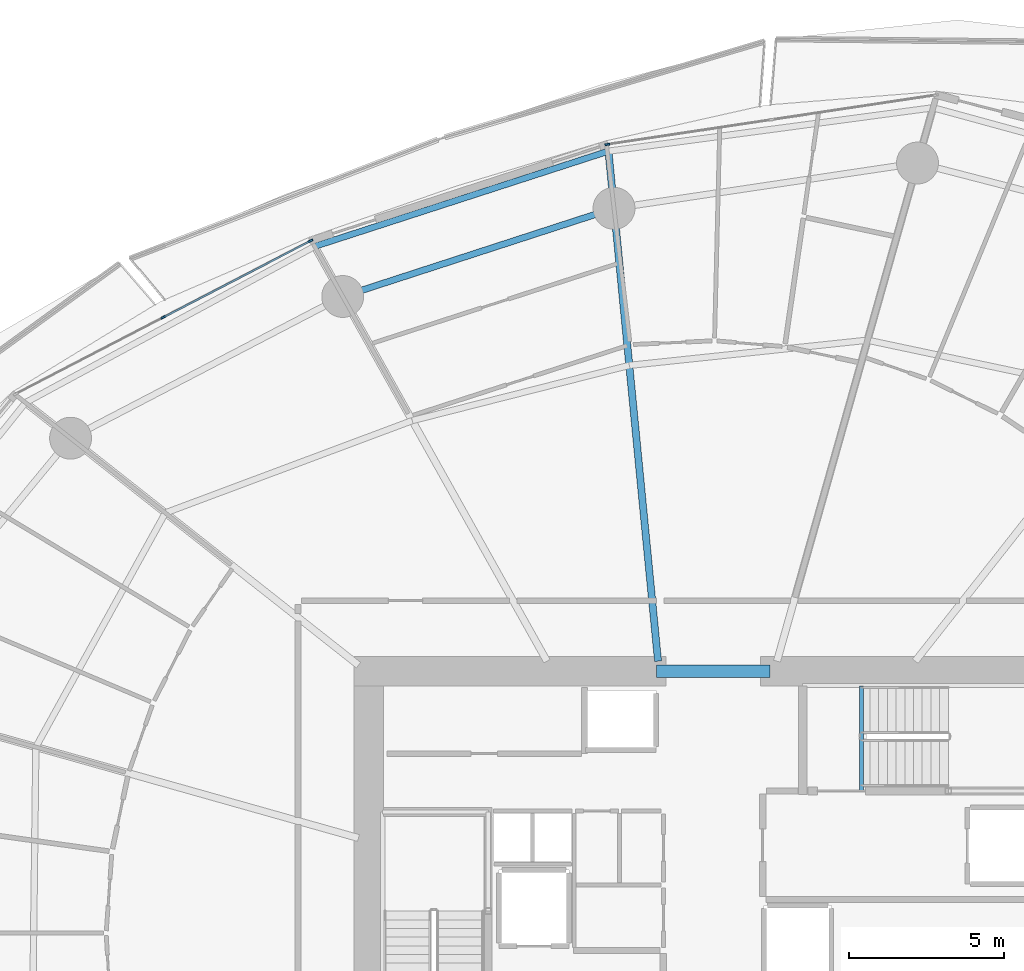
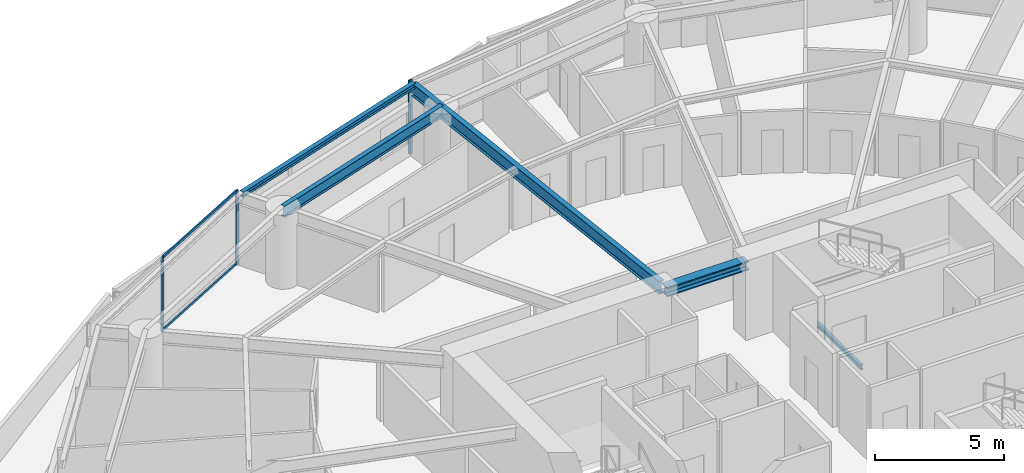
# One storey, part 13 of 31: 5 beams, 5 members, 2 elements without a shape of their own.
"""IFC4 building model written with IfcOpenShell, lengths in metres."""

from ifc_helpers import new_model, si_unit, direction, frame, origin, origin_2d, place, context, subcontext, project, spatial, rectangle, i_section, extrude, material, layer, layer_set, material_profile, profile_set, type_object, element, aggregate, save


model = new_model("IFC4")

# Units and contexts
model_context = context("Model", 3, precision=1e-05, world=origin(), true_north=direction((0.0, 1.0)))
body_context = subcontext(model_context, "Body", "Model", "MODEL_VIEW")
ifc_project = project(units=[si_unit("LENGTHUNIT", "METRE"), si_unit("AREAUNIT", "SQUARE_METRE"), si_unit("VOLUMEUNIT", "CUBIC_METRE"), si_unit("PLANEANGLEUNIT", "RADIAN"), si_unit("MASSUNIT", "GRAM", prefix="KILO")], contexts=[model_context])

# Site, building, storey
site_placement = place(None, origin())
site = spatial("IfcSite", under=ifc_project, at=site_placement, CompositionType="ELEMENT")
building_placement = place(site_placement, origin())
building = spatial("IfcBuilding", under=site, at=building_placement, Name="Kazma Halo Residences", CompositionType="ELEMENT")
storey_placement = place(building_placement, frame((0.0, 0.0, 41.39990234375)))
storey = spatial("IfcBuildingStorey", under=building, at=storey_placement, Name="L09", CompositionType="ELEMENT", Elevation=41.39990234375)

# Beams
ifc_material_1 = material(Name="Steel S355", Category="steel")
ifc_material_profile_1 = material_profile(ifc_material_1, i_section(OverallWidth=0.201904296875, OverallDepth=0.2470703125, WebThickness=0.00732421875, FlangeThickness=0.010986328125, FilletRadius=0.011962890625, at=origin_2d()), Name="W250x49.1")
ifc_profile_set_1 = profile_set([ifc_material_profile_1], Name="Steel S355")
beam_type_1 = type_object("IfcBeamType", Name="BM-BAL-CANT", PredefinedType="BEAM", material=ifc_profile_set_1)
beam_1_placement = place(storey_placement, frame((45.052734375, 67.230712890625, 3.376708984375), z_axis=(-0.951307246639, -0.308244257842, 0.0), x_axis=(0.308244257842, -0.951307246639, 0.0)))
element("IfcBeam", 1, at=beam_1_placement, inside=storey, type_object=beam_type_1, Name="L09 wave-balcony tie beam 04", PredefinedType="BEAM", context=body_context, shape_type="SweptSolid", body=[
    extrude(i_section(OverallWidth=0.201904296875, OverallDepth=0.2470703125, WebThickness=0.00732421875, FlangeThickness=0.010986328125, FilletRadius=0.011962890625, at=origin_2d()), origin(), (0.0, 0.0, 1.0), 9.949462890625),
])
ifc_material_profile_2 = material_profile(ifc_material_1, i_section(OverallWidth=0.408935546875, OverallDepth=0.425048828125, WebThickness=0.03271484375, FlangeThickness=0.052490234375, FilletRadius=0.02001953125, at=origin_2d()), Name="W360x421")
ifc_profile_set_2 = profile_set([ifc_material_profile_2], Name="Steel S355")
beam_type_2 = type_object("IfcBeamType", Name="BM-CORE-W360H", PredefinedType="BEAM", material=ifc_profile_set_2)
beam_2_placement = place(storey_placement, frame((46.60009765625, 50.47509765625, 3.28759765625), z_axis=(1.0, 0.0, 0.0), x_axis=(0.0, 1.0, 0.0)))
element("IfcBeam", 2, at=beam_2_placement, inside=storey, type_object=beam_type_2, Name="L09 core coupling beam N", PredefinedType="BEAM", context=body_context, shape_type="SweptSolid", body=[
    extrude(i_section(OverallWidth=0.408935546875, OverallDepth=0.425048828125, WebThickness=0.03271484375, FlangeThickness=0.052490234375, FilletRadius=0.02001953125, at=origin_2d()), origin(), (0.0, 0.0, 1.0), 3.64990234375),
])
ifc_material_profile_3 = material_profile(ifc_material_1, i_section(OverallWidth=0.22802734375, OverallDepth=0.60791015625, WebThickness=0.01123046875, FlangeThickness=0.017333984375, FilletRadius=0.01806640625, at=origin_2d()), Name="W610x113")
ifc_profile_set_3 = profile_set([ifc_material_profile_3], Name="Steel S355")
beam_type_3 = type_object("IfcBeamType", Name="BM-RAD-W610", PredefinedType="BEAM", material=ifc_profile_set_3)
beam_3_placement = place(storey_placement, frame((46.64990234375, 50.800048828125, 3.196044921875), z_axis=(-0.096750509471, 0.995308665147, 0.0), x_axis=(-0.995308665147, -0.096750509471, 0.0)))
element("IfcBeam", 3, at=beam_3_placement, inside=storey, type_object=beam_type_3, Name="L09 radial floor beam 04", PredefinedType="BEAM", context=body_context, shape_type="SweptSolid", body=[
    extrude(i_section(OverallWidth=0.22802734375, OverallDepth=0.60791015625, WebThickness=0.01123046875, FlangeThickness=0.017333984375, FilletRadius=0.01806640625, at=origin_2d()), origin(), (0.0, 0.0, 1.0), 16.508056640625),
])
ifc_material_profile_4 = material_profile(ifc_material_1, i_section(OverallWidth=0.208984375, OverallDepth=0.532958984375, WebThickness=0.01025390625, FlangeThickness=0.015625, FilletRadius=0.01611328125, at=origin_2d()), Name="W530x92")
ifc_profile_set_4 = profile_set([ifc_material_profile_4], Name="Steel S355")
beam_type_4 = type_object("IfcBeamType", Name="BM-SPN-W530", PredefinedType="BEAM", material=ifc_profile_set_4)
beam_4_placement = place(storey_placement, frame((45.231689453125, 65.389404296875, 3.233642578125), z_axis=(-0.951054956346, -0.309021795363, 0.0), x_axis=(0.309021795363, -0.951054956346, 0.0)))
element("IfcBeam", 4, at=beam_4_placement, inside=storey, type_object=beam_type_4, Name="L09 perimeter ring beam 04", PredefinedType="BEAM", context=body_context, shape_type="SweptSolid", body=[
    extrude(i_section(OverallWidth=0.208984375, OverallDepth=0.532958984375, WebThickness=0.01025390625, FlangeThickness=0.015625, FilletRadius=0.01611328125, at=origin_2d()), origin(), (0.0, 0.0, 1.0), 9.189697265625),
])
ifc_material_profile_5 = material_profile(ifc_material_1, i_section(OverallWidth=0.133056640625, OverallDepth=0.20703125, WebThickness=0.005859375, FlangeThickness=0.00830078125, FilletRadius=0.010009765625, at=origin_2d()), Name="W200x26.6")
ifc_profile_set_5 = profile_set([ifc_material_profile_5], Name="Steel S355")
beam_type_5 = type_object("IfcBeamType", Name="BM-TRIM-W200", PredefinedType="BEAM", material=ifc_profile_set_5)
beam_5_placement = place(storey_placement, frame((53.199951171875, 46.6201171875, -0.35986328125), z_axis=(0.0, 1.0, 0.0), x_axis=(-1.0, 0.0, 0.0)))
element("IfcBeam", 5, at=beam_5_placement, inside=storey, type_object=beam_type_5, Name="L09 ST-02 floor landing support beam", PredefinedType="BEAM", context=body_context, shape_type="SweptSolid", body=[
    extrude(i_section(OverallWidth=0.133056640625, OverallDepth=0.20703125, WebThickness=0.005859375, FlangeThickness=0.00830078125, FilletRadius=0.010009765625, at=origin_2d()), origin(), (0.0, 0.0, 1.0), 3.3798828125),
])

# Curtain wall, member
ifc_material_2 = material(Name="Aluminium AW-6063 T6 and Triple-Silver Low-E Glass", Category="aluminium")
ifc_layer = layer(ifc_material_2, 0.159912109375)
ifc_layer_set = layer_set([ifc_layer], Name="Aluminium AW-6063 T6 and Triple-Silver Low-E Glass")
curtain_wall_type = type_object("IfcCurtainWallType", Name="CW-SYS-2", PredefinedType="NOTDEFINED", material=ifc_layer_set)
curtain_wall_1_placement = place(storey_placement, origin())
curtain_wall_1 = element("IfcCurtainWall", 6, at=curtain_wall_1_placement, inside=storey, type_object=curtain_wall_type, Name="L09 unitised curtain wall B03", PredefinedType="NOTDEFINED")
ifc_material_3 = material(Name="Aluminium AW-6063 T6", Category="aluminium")
ifc_material_profile_6 = material_profile(ifc_material_3, rectangle(XDim=0.06005859375, YDim=0.159912109375, at=origin_2d()), Name="CWM-60x160")
ifc_profile_set_6 = profile_set([ifc_material_profile_6], Name="Aluminium AW-6063 T6")
member_type_1 = type_object("IfcMemberType", Name="CW-SYS-2-MUL", PredefinedType="MULLION", material=ifc_profile_set_6)
member_1_placement = place(storey_placement, frame((45.018310546875, 67.447509765625, 0.0), z_axis=(0.0, 0.0, 1.0), x_axis=(0.148657272805, -0.988888777994, 0.0)))
member_1 = element("IfcMember", 7, at=member_1_placement, type_object=member_type_1, Name="CWS-2 mullion 3", PredefinedType="MULLION", context=body_context, shape_type="SweptSolid", body=[
    extrude(rectangle(XDim=0.06005859375, YDim=0.159912109375, at=origin_2d()), origin(), (0.0, 0.0, 1.0), 3.5),
])
aggregate(curtain_wall_1, [member_1])

# Curtain wall, members
curtain_wall_2_placement = place(storey_placement, origin())
curtain_wall_2 = element("IfcCurtainWall", 8, at=curtain_wall_2_placement, inside=storey, type_object=curtain_wall_type, Name="L09 unitised curtain wall B05", PredefinedType="NOTDEFINED")
member_2_placement = place(storey_placement, frame((35.45458984375, 64.340087890625, 0.0), z_axis=(0.0, 0.0, 1.0), x_axis=(0.460995912628, -0.887402258584, 0.0)))
member_2 = element("IfcMember", 9, at=member_2_placement, type_object=member_type_1, Name="CWS-2 mullion 1", PredefinedType="MULLION", context=body_context, shape_type="SweptSolid", body=[
    extrude(rectangle(XDim=0.06005859375, YDim=0.159912109375, at=origin_2d()), origin(), (0.0, 0.0, 1.0), 3.5),
])
member_3_placement = place(storey_placement, frame((30.7080078125, 61.874267578125, 0.0), z_axis=(0.0, 0.0, 1.0), x_axis=(0.460995912628, -0.887402258584, 0.0)))
member_3 = element("IfcMember", 10, at=member_3_placement, type_object=member_type_1, Name="CWS-2 mullion 2", PredefinedType="MULLION", context=body_context, shape_type="SweptSolid", body=[
    extrude(rectangle(XDim=0.06005859375, YDim=0.159912109375, at=origin_2d()), origin(), (0.0, 0.0, 1.0), 3.5),
])
ifc_material_profile_7 = material_profile(ifc_material_3, rectangle(XDim=0.06005859375, YDim=0.1201171875, at=origin_2d()), Name="CWT-60x120")
ifc_profile_set_7 = profile_set([ifc_material_profile_7], Name="Aluminium AW-6063 T6")
member_type_2 = type_object("IfcMemberType", Name="CW-SYS-2-TRN", PredefinedType="USERDEFINED", material=ifc_profile_set_7)
member_4_placement = place(storey_placement, frame((35.427978515625, 64.326171875, 0.030029296875), z_axis=(-0.887414738583, -0.460971888238, 0.0), x_axis=(0.460971888238, -0.887414738583, 0.0)))
member_4 = element("IfcMember", 11, at=member_4_placement, type_object=member_type_2, Name="CWS-2 transom 1.1", ObjectType="TRANSOM", PredefinedType="USERDEFINED", context=body_context, shape_type="SweptSolid", body=[
    extrude(rectangle(XDim=0.06005859375, YDim=0.1201171875, at=origin_2d()), origin(), (0.0, 0.0, 1.0), 5.288818359375),
])
member_5_placement = place(storey_placement, frame((35.427978515625, 64.326171875, 3.47021484375), z_axis=(-0.887414738583, -0.460971888238, 0.0), x_axis=(0.460971888238, -0.887414738583, 0.0)))
member_5 = element("IfcMember", 12, at=member_5_placement, type_object=member_type_2, Name="CWS-2 transom 1.2", ObjectType="TRANSOM", PredefinedType="USERDEFINED", context=body_context, shape_type="SweptSolid", body=[
    extrude(rectangle(XDim=0.06005859375, YDim=0.1201171875, at=origin_2d()), origin(), (0.0, 0.0, 1.0), 5.288818359375),
])
aggregate(curtain_wall_2, [member_2, member_3, member_4, member_5])

save(model, "model.ifc")
